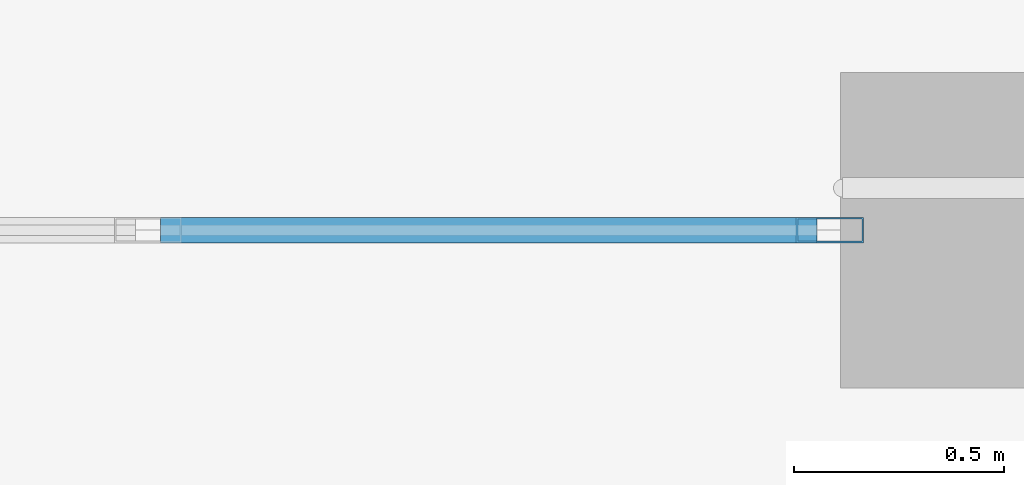
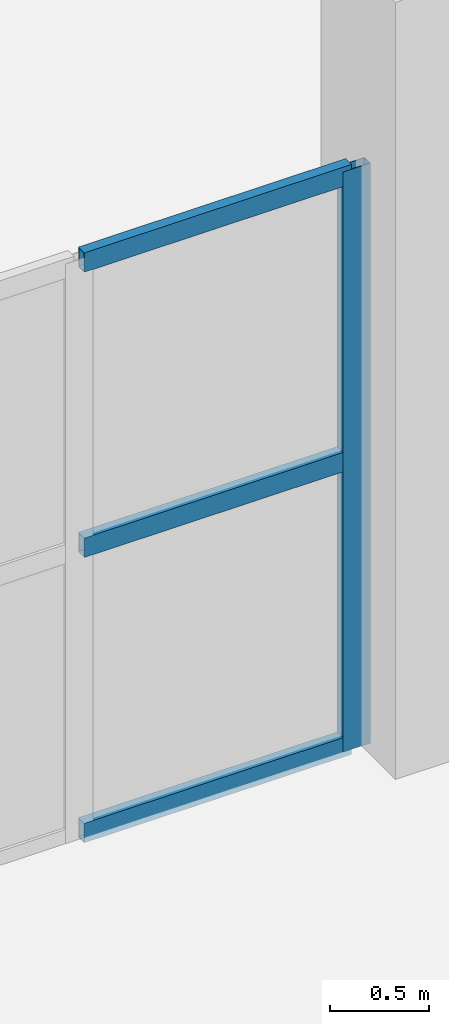
# One storey, part 15 of 89: 4 members, 1 element without a shape of its own.
"""IFC4 building model written with IfcOpenShell, lengths in metres."""

from ifc_helpers import new_model, si_unit, direction, frame, origin, origin_2d, place, context, subcontext, project, spatial, hollow_rectangle, extrude, material, layer, layer_set, material_profile, profile_set, type_object, element, aggregate, save


model = new_model("IFC4")

# Units and contexts
model_context = context("Model", 3, precision=1e-05, world=origin(), true_north=direction((0.0, 1.0)))
body_context = subcontext(model_context, "Body", "Model", "MODEL_VIEW")
ifc_project = project(units=[si_unit("LENGTHUNIT", "METRE"), si_unit("AREAUNIT", "SQUARE_METRE"), si_unit("VOLUMEUNIT", "CUBIC_METRE"), si_unit("PLANEANGLEUNIT", "RADIAN"), si_unit("MASSUNIT", "GRAM", prefix="KILO")], contexts=[model_context])

# Site, building, storey
site_placement = place(None, origin())
site = spatial("IfcSite", under=ifc_project, at=site_placement, CompositionType="ELEMENT")
building_placement = place(site_placement, origin())
building = spatial("IfcBuilding", under=site, at=building_placement, Name="Dornveld Trade and Exhibition Forum", CompositionType="ELEMENT")
storey_placement = place(building_placement, frame((0.0, 0.0, 12.0)))
storey = spatial("IfcBuildingStorey", under=building, at=storey_placement, Name="L02", CompositionType="ELEMENT", Elevation=12.0)

# Curtain wall, members
ifc_material_1 = material(Name="Dark-bronze anodised aluminium and low-E glass", Category="aluminium")
ifc_layer = layer(ifc_material_1, 0.180908203125)
ifc_layer_set = layer_set([ifc_layer], Name="Dark-bronze anodised aluminium and low-E glass")
curtain_wall_type = type_object("IfcCurtainWallType", Name="CW-SYS-13", PredefinedType="USERDEFINED", material=ifc_layer_set)
curtain_wall_placement = place(storey_placement, origin())
curtain_wall = element("IfcCurtainWall", 1, at=curtain_wall_placement, inside=storey, type_object=curtain_wall_type, Name="L02 unitised curtain wall 49", ObjectType="UNITISED_CURTAIN_WALL", PredefinedType="USERDEFINED")
ifc_material_2 = material(Name="Dark-bronze anodised aluminium", Category="aluminium")
ifc_material_profile_1 = material_profile(ifc_material_2, hollow_rectangle(XDim=0.06005859375, YDim=0.159912109375, WallThickness=0.00390625, at=origin_2d()), Name="RHS 160x60x4")
ifc_profile_set_1 = profile_set([ifc_material_profile_1], Name="Dark-bronze anodised aluminium")
member_type_1 = type_object("IfcMemberType", Name="CW-MUL-160", PredefinedType="MULLION", material=ifc_profile_set_1)
member_1_placement = place(storey_placement, frame((116.59912109375, 36.0, -0.00390625), z_axis=(0.0, 0.0, 1.0), x_axis=(0.0, 1.0, 0.0)))
member_1 = element("IfcMember", 2, at=member_1_placement, type_object=member_type_1, Name="CW-13 mullion 6", PredefinedType="MULLION", context=body_context, shape_type="SweptSolid", body=[
    extrude(hollow_rectangle(XDim=0.06005859375, YDim=0.159912109375, WallThickness=0.00390625, at=origin_2d()), origin(), (0.0, 0.0, 1.0), 3.583984375),
])
ifc_material_3 = material(Name="Dark-bronze anodised aluminium", Category="aluminium")
ifc_material_profile_2 = material_profile(ifc_material_3, hollow_rectangle(XDim=0.06005859375, YDim=0.1201171875, WallThickness=0.00390625, at=origin_2d()), Name="RHS 120x60x4")
ifc_profile_set_2 = profile_set([ifc_material_profile_2], Name="Dark-bronze anodised aluminium")
member_type_2 = type_object("IfcMemberType", Name="CW-TRN-120", PredefinedType="USERDEFINED", material=ifc_profile_set_2)
member_2_placement = place(storey_placement, frame((115.00732421875, 36.0, 0.02587890625), z_axis=(1.0, 0.0, 0.0), x_axis=(0.0, 1.0, 0.0)))
member_2 = element("IfcMember", 3, at=member_2_placement, type_object=member_type_2, Name="CW-13 transom 5.1", ObjectType="TRANSOM", PredefinedType="USERDEFINED", context=body_context, shape_type="SweptSolid", body=[
    extrude(hollow_rectangle(XDim=0.06005859375, YDim=0.1201171875, WallThickness=0.00390625, at=origin_2d()), origin(), (0.0, 0.0, 1.0), 1.561767578125),
])
member_3_placement = place(storey_placement, frame((115.00732421875, 36.0, 1.7880859375), z_axis=(1.0, 0.0, 0.0), x_axis=(0.0, 1.0, 0.0)))
member_3 = element("IfcMember", 4, at=member_3_placement, type_object=member_type_2, Name="CW-13 transom 5.2", ObjectType="TRANSOM", PredefinedType="USERDEFINED", context=body_context, shape_type="SweptSolid", body=[
    extrude(hollow_rectangle(XDim=0.06005859375, YDim=0.1201171875, WallThickness=0.00390625, at=origin_2d()), origin(), (0.0, 0.0, 1.0), 1.561767578125),
])
member_4_placement = place(storey_placement, frame((115.00732421875, 36.0, 3.550048828125), z_axis=(1.0, 0.0, 0.0), x_axis=(0.0, 1.0, 0.0)))
member_4 = element("IfcMember", 5, at=member_4_placement, type_object=member_type_2, Name="CW-13 transom 5.3", ObjectType="TRANSOM", PredefinedType="USERDEFINED", context=body_context, shape_type="SweptSolid", body=[
    extrude(hollow_rectangle(XDim=0.06005859375, YDim=0.1201171875, WallThickness=0.00390625, at=origin_2d()), origin(), (0.0, 0.0, 1.0), 1.561767578125),
])
aggregate(curtain_wall, [member_1, member_2, member_3, member_4])

save(model, "model.ifc")
